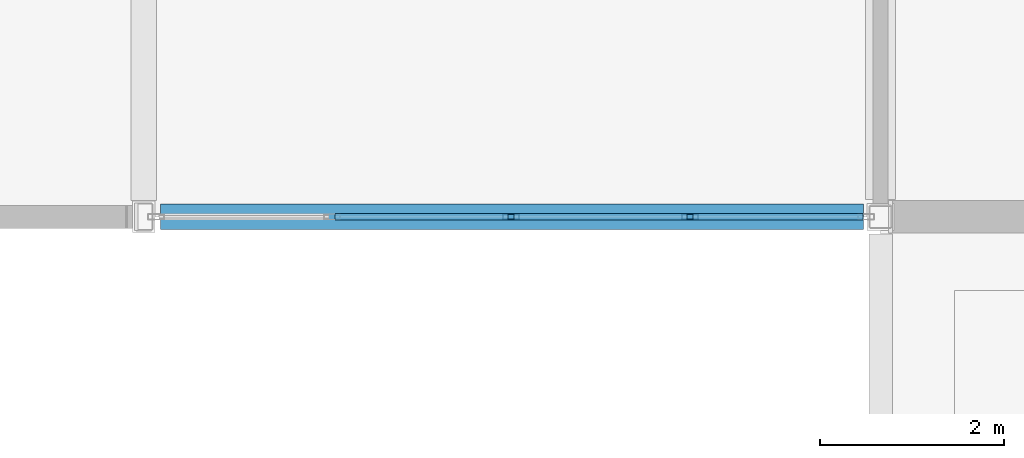
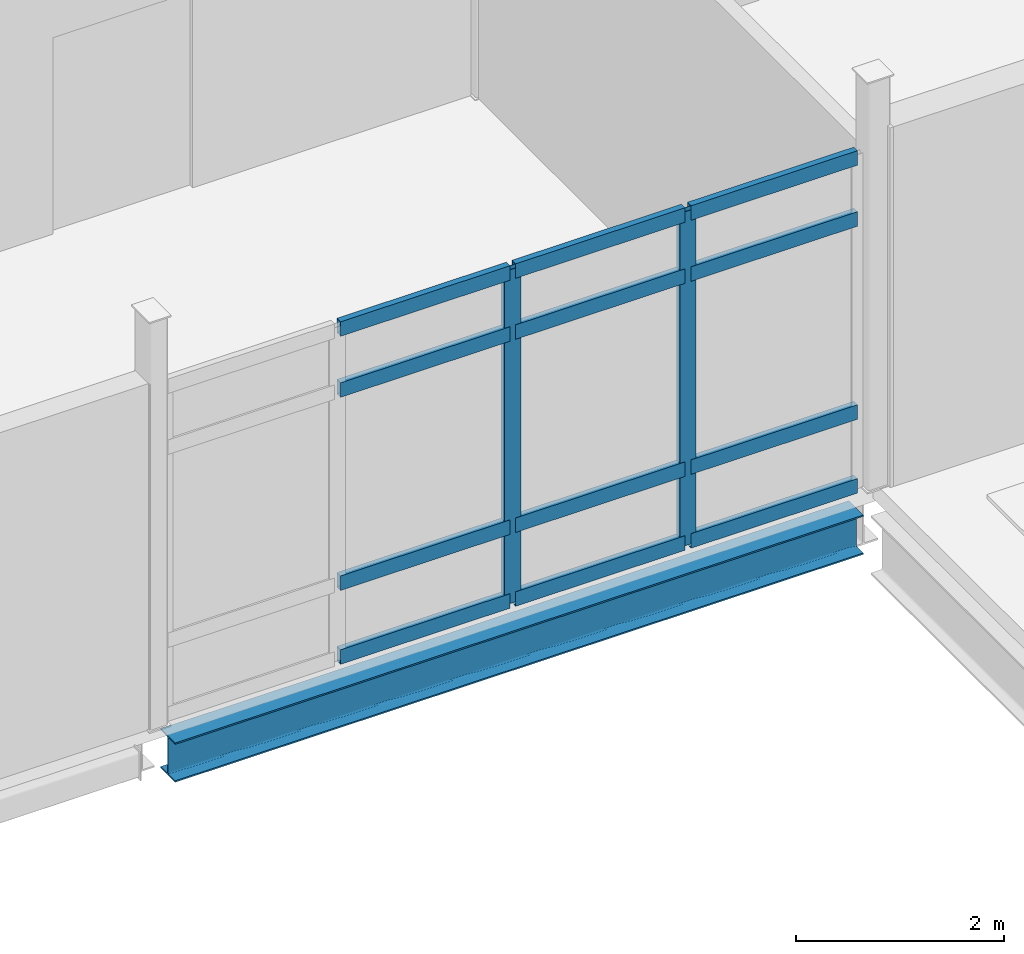
# One storey, part 60 of 186: 14 members, 1 beam, 1 element without a shape of its own.
"""IFC4 building model written with IfcOpenShell, lengths in metres."""

from ifc_helpers import new_model, si_unit, direction, frame, origin, origin_2d, place, context, subcontext, project, spatial, hollow_rectangle, i_section, extrude, material, layer, layer_set, material_profile, profile_set, type_object, element, aggregate, save


model = new_model("IFC4")

# Units and contexts
model_context = context("Model", 3, precision=1e-05, world=origin(), true_north=direction((0.0, 1.0)))
body_context = subcontext(model_context, "Body", "Model", "MODEL_VIEW")
ifc_project = project(units=[si_unit("LENGTHUNIT", "METRE"), si_unit("AREAUNIT", "SQUARE_METRE"), si_unit("VOLUMEUNIT", "CUBIC_METRE"), si_unit("PLANEANGLEUNIT", "RADIAN"), si_unit("MASSUNIT", "GRAM", prefix="KILO")], contexts=[model_context])

# Site, building, storey
site_placement = place(None, origin())
site = spatial("IfcSite", under=ifc_project, at=site_placement, CompositionType="ELEMENT")
building_placement = place(site_placement, origin())
building = spatial("IfcBuilding", under=site, at=building_placement, Name="Calvrana Isthmian Art Gallery", CompositionType="ELEMENT")
storey_placement = place(building_placement, frame((0.0, 0.0, 5.39990234375)))
storey = spatial("IfcBuildingStorey", under=building, at=storey_placement, Name="L01", CompositionType="ELEMENT", Elevation=5.39990234375)

# Beam
ifc_material_1 = material(Name="Steel ASTM A992 Gr 50", Category="steel")
ifc_material_profile_1 = material_profile(ifc_material_1, i_section(OverallWidth=0.279052734375, OverallDepth=0.4619140625, WebThickness=0.0107421875, FlangeThickness=0.017333984375, FilletRadius=0.02001953125, at=origin_2d()), Name="W18X76")
ifc_profile_set_1 = profile_set([ifc_material_profile_1], Name="Steel ASTM A992 Gr 50")
beam_type = type_object("IfcBeamType", Name="BM-G-W18X76", PredefinedType="BEAM", material=ifc_profile_set_1)
beam_placement = place(storey_placement, frame((88.583984375, 46.800048828125, -0.475830078125), z_axis=(1.0, 0.0, 0.0), x_axis=(0.0, 1.0, 0.0)))
element("IfcBeam", 1, at=beam_placement, inside=storey, type_object=beam_type, Name="Girder X L01 12-13/G", PredefinedType="BEAM", context=body_context, shape_type="SweptSolid", body=[
    extrude(i_section(OverallWidth=0.279052734375, OverallDepth=0.4619140625, WebThickness=0.0107421875, FlangeThickness=0.017333984375, FilletRadius=0.02001953125, at=origin_2d()), origin(), (0.0, 0.0, 1.0), 7.62939453125),
])

# Curtain wall, members
ifc_material_2 = material(Name="Anodized bronze aluminium 6063-T6", Category="aluminium")
ifc_layer = layer(ifc_material_2, 0.179931640625, Name="Anodized bronze aluminium 6063-T6")
ifc_layer_set = layer_set([ifc_layer], Name="Anodized bronze aluminium 6063-T6")
curtain_wall_type = type_object("IfcCurtainWallType", Name="CW-STICK-078X39", PredefinedType="NOTDEFINED", material=ifc_layer_set)
curtain_wall_placement = place(storey_placement, origin())
curtain_wall = element("IfcCurtainWall", 2, at=curtain_wall_placement, inside=storey, type_object=curtain_wall_type, Name="Curtain wall CW-098", PredefinedType="NOTDEFINED")
ifc_material_profile_2 = material_profile(ifc_material_2, hollow_rectangle(XDim=0.06494140625, YDim=0.179931640625, WallThickness=0.00439453125, at=origin_2d()), Name="CWM65X180")
ifc_profile_set_2 = profile_set([ifc_material_profile_2], Name="Anodized bronze aluminium 6063-T6")
member_type_1 = type_object("IfcMemberType", Name="CWM-CWM65X180", PredefinedType="MULLION", material=ifc_profile_set_2)
member_1_placement = place(storey_placement, frame((94.330078125, 46.800048828125, 0.0), z_axis=(0.0, 0.0, 1.0), x_axis=(0.0, -1.0, 0.0)))
member_1 = element("IfcMember", 3, at=member_1_placement, type_object=member_type_1, Name="CW-098 mullion 2", PredefinedType="MULLION", context=body_context, shape_type="SweptSolid", body=[
    extrude(hollow_rectangle(XDim=0.06494140625, YDim=0.179931640625, WallThickness=0.00439453125, at=origin_2d()), origin(), (0.0, 0.0, 1.0), 3.9130859375),
])
member_2_placement = place(storey_placement, frame((92.38720703125, 46.800048828125, 0.0), z_axis=(0.0, 0.0, 1.0), x_axis=(0.0, -1.0, 0.0)))
member_2 = element("IfcMember", 4, at=member_2_placement, type_object=member_type_1, Name="CW-098 mullion 3", PredefinedType="MULLION", context=body_context, shape_type="SweptSolid", body=[
    extrude(hollow_rectangle(XDim=0.06494140625, YDim=0.179931640625, WallThickness=0.00439453125, at=origin_2d()), origin(), (0.0, 0.0, 1.0), 3.9130859375),
])
ifc_material_profile_3 = material_profile(ifc_material_2, hollow_rectangle(XDim=0.070068359375, YDim=0.169921875, WallThickness=0.00439453125, at=origin_2d()), Name="CWT70X170")
ifc_profile_set_3 = profile_set([ifc_material_profile_3], Name="Anodized bronze aluminium 6063-T6")
member_type_2 = type_object("IfcMemberType", Name="CWT-CWT70X170", PredefinedType="USERDEFINED", material=ifc_profile_set_3)
member_3_placement = place(storey_placement, frame((96.2080078125, 46.800048828125, 0.03515625), z_axis=(-1.0, 0.0, 0.0), x_axis=(0.0, -1.0, 0.0)))
member_3 = element("IfcMember", 5, at=member_3_placement, type_object=member_type_2, Name="CW-098 transom 1.1", ObjectType="TRANSOM", PredefinedType="USERDEFINED", context=body_context, shape_type="SweptSolid", body=[
    extrude(hollow_rectangle(XDim=0.070068359375, YDim=0.169921875, WallThickness=0.00439453125, at=origin_2d()), origin(), (0.0, 0.0, 1.0), 1.845458984375),
])
member_4_placement = place(storey_placement, frame((96.2080078125, 46.800048828125, 0.900146484375), z_axis=(-1.0, 0.0, 0.0), x_axis=(0.0, -1.0, 0.0)))
member_4 = element("IfcMember", 6, at=member_4_placement, type_object=member_type_2, Name="CW-098 transom 1.2", ObjectType="TRANSOM", PredefinedType="USERDEFINED", context=body_context, shape_type="SweptSolid", body=[
    extrude(hollow_rectangle(XDim=0.070068359375, YDim=0.169921875, WallThickness=0.00439453125, at=origin_2d()), origin(), (0.0, 0.0, 1.0), 1.845458984375),
])
member_5_placement = place(storey_placement, frame((96.2080078125, 46.800048828125, 3.1630859375), z_axis=(-1.0, 0.0, 0.0), x_axis=(0.0, -1.0, 0.0)))
member_5 = element("IfcMember", 7, at=member_5_placement, type_object=member_type_2, Name="CW-098 transom 1.3", ObjectType="TRANSOM", PredefinedType="USERDEFINED", context=body_context, shape_type="SweptSolid", body=[
    extrude(hollow_rectangle(XDim=0.070068359375, YDim=0.169921875, WallThickness=0.00439453125, at=origin_2d()), origin(), (0.0, 0.0, 1.0), 1.845458984375),
])
member_6_placement = place(storey_placement, frame((96.2080078125, 46.800048828125, 3.878173828125), z_axis=(-1.0, 0.0, 0.0), x_axis=(0.0, -1.0, 0.0)))
member_6 = element("IfcMember", 8, at=member_6_placement, type_object=member_type_2, Name="CW-098 transom 1.4", ObjectType="TRANSOM", PredefinedType="USERDEFINED", context=body_context, shape_type="SweptSolid", body=[
    extrude(hollow_rectangle(XDim=0.070068359375, YDim=0.169921875, WallThickness=0.00439453125, at=origin_2d()), origin(), (0.0, 0.0, 1.0), 1.845458984375),
])
member_7_placement = place(storey_placement, frame((94.297607421875, 46.800048828125, 0.03515625), z_axis=(-1.0, 0.0, 0.0), x_axis=(0.0, -1.0, 0.0)))
member_7 = element("IfcMember", 9, at=member_7_placement, type_object=member_type_2, Name="CW-098 transom 2.1", ObjectType="TRANSOM", PredefinedType="USERDEFINED", context=body_context, shape_type="SweptSolid", body=[
    extrude(hollow_rectangle(XDim=0.070068359375, YDim=0.169921875, WallThickness=0.00439453125, at=origin_2d()), origin(), (0.0, 0.0, 1.0), 1.877685546875),
])
member_8_placement = place(storey_placement, frame((94.297607421875, 46.800048828125, 0.900146484375), z_axis=(-1.0, 0.0, 0.0), x_axis=(0.0, -1.0, 0.0)))
member_8 = element("IfcMember", 10, at=member_8_placement, type_object=member_type_2, Name="CW-098 transom 2.2", ObjectType="TRANSOM", PredefinedType="USERDEFINED", context=body_context, shape_type="SweptSolid", body=[
    extrude(hollow_rectangle(XDim=0.070068359375, YDim=0.169921875, WallThickness=0.00439453125, at=origin_2d()), origin(), (0.0, 0.0, 1.0), 1.877685546875),
])
member_9_placement = place(storey_placement, frame((94.297607421875, 46.800048828125, 3.1630859375), z_axis=(-1.0, 0.0, 0.0), x_axis=(0.0, -1.0, 0.0)))
member_9 = element("IfcMember", 11, at=member_9_placement, type_object=member_type_2, Name="CW-098 transom 2.3", ObjectType="TRANSOM", PredefinedType="USERDEFINED", context=body_context, shape_type="SweptSolid", body=[
    extrude(hollow_rectangle(XDim=0.070068359375, YDim=0.169921875, WallThickness=0.00439453125, at=origin_2d()), origin(), (0.0, 0.0, 1.0), 1.877685546875),
])
member_10_placement = place(storey_placement, frame((94.297607421875, 46.800048828125, 3.878173828125), z_axis=(-1.0, 0.0, 0.0), x_axis=(0.0, -1.0, 0.0)))
member_10 = element("IfcMember", 12, at=member_10_placement, type_object=member_type_2, Name="CW-098 transom 2.4", ObjectType="TRANSOM", PredefinedType="USERDEFINED", context=body_context, shape_type="SweptSolid", body=[
    extrude(hollow_rectangle(XDim=0.070068359375, YDim=0.169921875, WallThickness=0.00439453125, at=origin_2d()), origin(), (0.0, 0.0, 1.0), 1.877685546875),
])
member_11_placement = place(storey_placement, frame((92.354736328125, 46.800048828125, 0.03515625), z_axis=(-1.0, 0.0, 0.0), x_axis=(0.0, -1.0, 0.0)))
member_11 = element("IfcMember", 13, at=member_11_placement, type_object=member_type_2, Name="CW-098 transom 3.1", ObjectType="TRANSOM", PredefinedType="USERDEFINED", context=body_context, shape_type="SweptSolid", body=[
    extrude(hollow_rectangle(XDim=0.070068359375, YDim=0.169921875, WallThickness=0.00439453125, at=origin_2d()), origin(), (0.0, 0.0, 1.0), 1.877685546875),
])
member_12_placement = place(storey_placement, frame((92.354736328125, 46.800048828125, 0.900146484375), z_axis=(-1.0, 0.0, 0.0), x_axis=(0.0, -1.0, 0.0)))
member_12 = element("IfcMember", 14, at=member_12_placement, type_object=member_type_2, Name="CW-098 transom 3.2", ObjectType="TRANSOM", PredefinedType="USERDEFINED", context=body_context, shape_type="SweptSolid", body=[
    extrude(hollow_rectangle(XDim=0.070068359375, YDim=0.169921875, WallThickness=0.00439453125, at=origin_2d()), origin(), (0.0, 0.0, 1.0), 1.877685546875),
])
member_13_placement = place(storey_placement, frame((92.354736328125, 46.800048828125, 3.1630859375), z_axis=(-1.0, 0.0, 0.0), x_axis=(0.0, -1.0, 0.0)))
member_13 = element("IfcMember", 15, at=member_13_placement, type_object=member_type_2, Name="CW-098 transom 3.3", ObjectType="TRANSOM", PredefinedType="USERDEFINED", context=body_context, shape_type="SweptSolid", body=[
    extrude(hollow_rectangle(XDim=0.070068359375, YDim=0.169921875, WallThickness=0.00439453125, at=origin_2d()), origin(), (0.0, 0.0, 1.0), 1.877685546875),
])
member_14_placement = place(storey_placement, frame((92.354736328125, 46.800048828125, 3.878173828125), z_axis=(-1.0, 0.0, 0.0), x_axis=(0.0, -1.0, 0.0)))
member_14 = element("IfcMember", 16, at=member_14_placement, type_object=member_type_2, Name="CW-098 transom 3.4", ObjectType="TRANSOM", PredefinedType="USERDEFINED", context=body_context, shape_type="SweptSolid", body=[
    extrude(hollow_rectangle(XDim=0.070068359375, YDim=0.169921875, WallThickness=0.00439453125, at=origin_2d()), origin(), (0.0, 0.0, 1.0), 1.877685546875),
])
aggregate(curtain_wall, [member_1, member_2, member_3, member_4, member_5, member_6, member_7, member_8, member_9, member_10, member_11, member_12, member_13, member_14])

save(model, "model.ifc")
